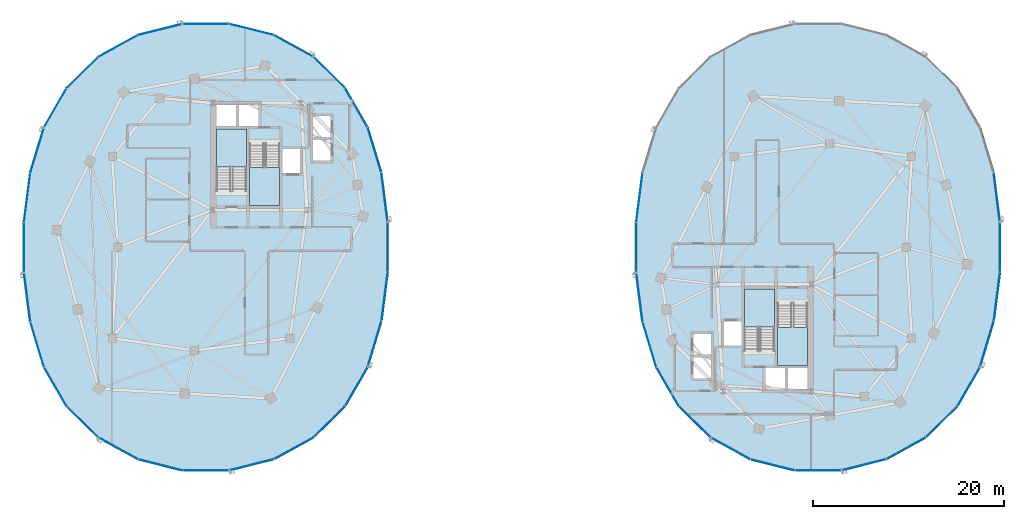
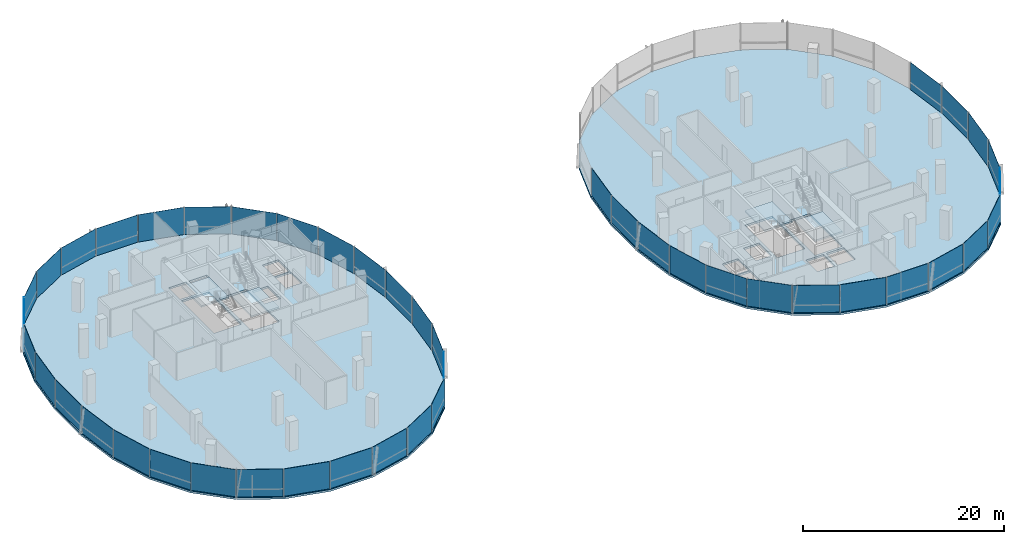
# One storey, part 10 of 21: 45 plates, 6 slabs, 12 elements without a shape of their own.
"""IFC4 building model written with IfcOpenShell, lengths in metres."""

from ifc_helpers import new_model, si_unit, direction, frame, origin, origin_2d, place, context, subcontext, project, spatial, polyline, rectangle, outline, extrude, material, layer, layer_set, type_object, element, aggregate, save


model = new_model("IFC4")

# Units and contexts
model_context = context("Model", 3, precision=1e-05, world=origin(), true_north=direction((0.0, 1.0)))
body_context = subcontext(model_context, "Body", "Model", "MODEL_VIEW")
ifc_project = project(units=[si_unit("LENGTHUNIT", "METRE"), si_unit("AREAUNIT", "SQUARE_METRE"), si_unit("VOLUMEUNIT", "CUBIC_METRE"), si_unit("PLANEANGLEUNIT", "RADIAN"), si_unit("MASSUNIT", "GRAM", prefix="KILO"), si_unit("THERMODYNAMICTEMPERATUREUNIT", "KELVIN"), si_unit("POWERUNIT", "WATT")], contexts=[model_context])

# Site, building, storey
site_placement = place(None, origin())
site = spatial("IfcSite", under=ifc_project, at=site_placement, CompositionType="ELEMENT")
building_placement = place(site_placement, origin())
building = spatial("IfcBuilding", under=site, at=building_placement, Name="Cundina Bronze Exchange", CompositionType="ELEMENT")
storey_placement = place(building_placement, frame((0.0, 0.0, 180.0)))
storey = spatial("IfcBuildingStorey", under=building, at=storey_placement, Name="L47", CompositionType="ELEMENT", Elevation=180.0)

# Curtain wall, plates
ifc_material_1 = material(Name="Anodised Bronze Aluminium 6063-T6", Category="aluminium")
curtain_wall_type = type_object("IfcCurtainWallType", Name="CWS-WST-PIN", PredefinedType="NOTDEFINED", material=ifc_material_1)
curtain_wall_1_placement = place(storey_placement, origin())
curtain_wall_1 = element("IfcCurtainWall", 1, at=curtain_wall_1_placement, inside=storey, type_object=curtain_wall_type, Name="L47 CW-04 Curtain Wall Run CWR-L47-W1", PredefinedType="NOTDEFINED")
ifc_material_2 = material(Name="Heat-Strengthened Solar-Control Bronze Safety Glass 28mm", Category="glass")
ifc_layer_1 = layer(ifc_material_2, 0.028076171875, Name="Heat-Strengthened Solar-Control Bronze Safety Glass 28mm", Category="glass")
ifc_layer_set_1 = layer_set([ifc_layer_1], Name="Heat-Strengthened Solar-Control Bronze Safety Glass 28mm")
plate_type_1 = type_object("IfcPlateType", Name="PLT-GLZ-VIS28", PredefinedType="CURTAIN_PANEL", material=ifc_layer_set_1)
plate_1_placement = place(storey_placement, frame((-13.320556640625, 5.2041015625, 0.02001953125), z_axis=(0.0, 0.0, 1.0), x_axis=(-0.126475984253, 0.9919696696, 0.0)))
plate_1 = element("IfcPlate", 2, at=plate_1_placement, type_object=plate_type_1, Name="CW-04 Glazed Panel 1", PredefinedType="CURTAIN_PANEL", context=body_context, shape_type="SweptSolid", body=[
    extrude(rectangle(XDim=5.104736328125, YDim=0.028076171875, at=origin_2d()), origin(), (0.0, 0.0, 1.0), 3.320068359375),
])
plate_2_placement = place(storey_placement, frame((-14.36669921875, 10.14208984375, 0.02001953125), z_axis=(0.0, 0.0, 1.0), x_axis=(-0.290050843957, 0.957011237092, 0.0)))
plate_2 = element("IfcPlate", 3, at=plate_2_placement, type_object=plate_type_1, Name="CW-04 Glazed Panel 2", PredefinedType="CURTAIN_PANEL", context=body_context, shape_type="SweptSolid", body=[
    extrude(rectangle(XDim=4.885009765625, YDim=0.028076171875, at=origin_2d()), origin(), (0.0, 0.0, 1.0), 3.320068359375),
])
plate_3_placement = place(storey_placement, frame((-19.105224609375, 18.253662109375, 0.02001953125), z_axis=(0.0, 0.0, 1.0), x_axis=(-0.711989280367, 0.702190333629, 0.0)))
plate_3 = element("IfcPlate", 4, at=plate_3_placement, type_object=plate_type_1, Name="CW-04 Glazed Panel 4", PredefinedType="CURTAIN_PANEL", context=body_context, shape_type="SweptSolid", body=[
    extrude(rectangle(XDim=4.6025390625, YDim=0.028076171875, at=origin_2d()), origin(), (0.0, 0.0, 1.0), 3.320068359375),
])
plate_4_placement = place(storey_placement, frame((-22.83154296875, 21.02880859375, 0.02001953125), z_axis=(0.0, 0.0, 1.0), x_axis=(-0.875869093438, 0.482548786301, 0.0)))
plate_4 = element("IfcPlate", 5, at=plate_4_placement, type_object=plate_type_1, Name="CW-04 Glazed Panel 5", PredefinedType="CURTAIN_PANEL", context=body_context, shape_type="SweptSolid", body=[
    extrude(rectangle(XDim=4.661865234375, YDim=0.028076171875, at=origin_2d()), origin(), (0.0, 0.0, 1.0), 3.320068359375),
])
plate_5_placement = place(storey_placement, frame((-27.23486328125, 22.75244140625, 0.02001953125), z_axis=(0.0, 0.0, 1.0), x_axis=(-0.970092713791, 0.242734683656, 0.0)))
plate_5 = element("IfcPlate", 6, at=plate_5_placement, type_object=plate_type_1, Name="CW-04 Glazed Panel 6", PredefinedType="CURTAIN_PANEL", context=body_context, shape_type="SweptSolid", body=[
    extrude(rectangle(XDim=4.7548828125, YDim=0.028076171875, at=origin_2d()), origin(), (0.0, 0.0, 1.0), 3.320068359375),
])
plate_6_placement = place(storey_placement, frame((-32.0, 23.3369140625, 0.02001953125), z_axis=(0.0, 0.0, 1.0), x_axis=(-1.0, 0.0, 0.0)))
plate_6 = element("IfcPlate", 7, at=plate_6_placement, type_object=plate_type_1, Name="CW-04 Glazed Panel 7", PredefinedType="CURTAIN_PANEL", context=body_context, shape_type="SweptSolid", body=[
    extrude(rectangle(XDim=4.7958984375, YDim=0.028076171875, at=origin_2d()), origin(), (0.0, 0.0, 1.0), 3.320068359375),
])

curtain_wall_2_placement = place(storey_placement, origin())
curtain_wall_2 = element("IfcCurtainWall", 8, at=curtain_wall_2_placement, inside=storey, type_object=curtain_wall_type, Name="L47 CW-04 Curtain Wall Run CWR-L47-W2", PredefinedType="NOTDEFINED")
plate_7_placement = place(storey_placement, frame((-36.76513671875, 22.75244140625, 0.02001953125), z_axis=(0.0, 0.0, 1.0), x_axis=(-0.970092713791, -0.242734683656, 0.0)))
plate_7 = element("IfcPlate", 9, at=plate_7_placement, type_object=plate_type_1, Name="CW-04 Glazed Panel 1", PredefinedType="CURTAIN_PANEL", context=body_context, shape_type="SweptSolid", body=[
    extrude(rectangle(XDim=4.7548828125, YDim=0.028076171875, at=origin_2d()), origin(), (0.0, 0.0, 1.0), 3.320068359375),
])
plate_8_placement = place(storey_placement, frame((-44.894775390625, 18.253662109375, 0.02001953125), z_axis=(0.0, 0.0, 1.0), x_axis=(-0.711989280367, -0.702190333629, 0.0)))
plate_8 = element("IfcPlate", 10, at=plate_8_placement, type_object=plate_type_1, Name="CW-04 Glazed Panel 3", PredefinedType="CURTAIN_PANEL", context=body_context, shape_type="SweptSolid", body=[
    extrude(rectangle(XDim=4.6025390625, YDim=0.028076171875, at=origin_2d()), origin(), (0.0, 0.0, 1.0), 3.320068359375),
])
plate_9_placement = place(storey_placement, frame((-47.734375, 14.564697265625, 0.02001953125), z_axis=(0.0, 0.0, 1.0), x_axis=(-0.498487739754, -0.866896748936, 0.0)))
plate_9 = element("IfcPlate", 11, at=plate_9_placement, type_object=plate_type_1, Name="CW-04 Glazed Panel 4", PredefinedType="CURTAIN_PANEL", context=body_context, shape_type="SweptSolid", body=[
    extrude(rectangle(XDim=4.676513671875, YDim=0.028076171875, at=origin_2d()), origin(), (0.0, 0.0, 1.0), 3.320068359375),
])
plate_10_placement = place(storey_placement, frame((-49.63330078125, 10.14208984375, 0.02001953125), z_axis=(0.0, 0.0, 1.0), x_axis=(-0.290050843957, -0.957011237092, 0.0)))
plate_10 = element("IfcPlate", 12, at=plate_10_placement, type_object=plate_type_1, Name="CW-04 Glazed Panel 5", PredefinedType="CURTAIN_PANEL", context=body_context, shape_type="SweptSolid", body=[
    extrude(rectangle(XDim=4.885009765625, YDim=0.028076171875, at=origin_2d()), origin(), (0.0, 0.0, 1.0), 3.320068359375),
])
plate_11_placement = place(storey_placement, frame((-50.679443359375, 5.2041015625, 0.02001953125), z_axis=(0.0, 0.0, 1.0), x_axis=(-0.126475984253, -0.9919696696, 0.0)))
plate_11 = element("IfcPlate", 13, at=plate_11_placement, type_object=plate_type_1, Name="CW-04 Glazed Panel 6", PredefinedType="CURTAIN_PANEL", context=body_context, shape_type="SweptSolid", body=[
    extrude(rectangle(XDim=5.104736328125, YDim=0.028076171875, at=origin_2d()), origin(), (0.0, 0.0, 1.0), 3.320068359375),
])

curtain_wall_3_placement = place(storey_placement, origin())
curtain_wall_3 = element("IfcCurtainWall", 14, at=curtain_wall_3_placement, inside=storey, type_object=curtain_wall_type, Name="L47 CW-04 Curtain Wall Run CWR-L47-W3", PredefinedType="NOTDEFINED")
plate_12_placement = place(storey_placement, frame((-49.63330078125, -10.14208984375, 0.02001953125), z_axis=(0.0, 0.0, 1.0), x_axis=(0.290050843957, -0.957011237092, 0.0)))
plate_12 = element("IfcPlate", 15, at=plate_12_placement, type_object=plate_type_1, Name="CW-04 Glazed Panel 2", PredefinedType="CURTAIN_PANEL", context=body_context, shape_type="SweptSolid", body=[
    extrude(rectangle(XDim=4.885009765625, YDim=0.028076171875, at=origin_2d()), origin(), (0.0, 0.0, 1.0), 3.320068359375),
])
plate_13_placement = place(storey_placement, frame((-47.734375, -14.564697265625, 0.02001953125), z_axis=(0.0, 0.0, 1.0), x_axis=(0.498487739754, -0.866896748936, 0.0)))
plate_13 = element("IfcPlate", 16, at=plate_13_placement, type_object=plate_type_1, Name="CW-04 Glazed Panel 3", PredefinedType="CURTAIN_PANEL", context=body_context, shape_type="SweptSolid", body=[
    extrude(rectangle(XDim=4.676513671875, YDim=0.028076171875, at=origin_2d()), origin(), (0.0, 0.0, 1.0), 3.320068359375),
])
plate_14_placement = place(storey_placement, frame((-44.894775390625, -18.253662109375, 0.02001953125), z_axis=(0.0, 0.0, 1.0), x_axis=(0.711989280367, -0.702190333629, 0.0)))
plate_14 = element("IfcPlate", 17, at=plate_14_placement, type_object=plate_type_1, Name="CW-04 Glazed Panel 4", PredefinedType="CURTAIN_PANEL", context=body_context, shape_type="SweptSolid", body=[
    extrude(rectangle(XDim=4.6025390625, YDim=0.028076171875, at=origin_2d()), origin(), (0.0, 0.0, 1.0), 3.320068359375),
])
plate_15_placement = place(storey_placement, frame((-41.16845703125, -21.02880859375, 0.02001953125), z_axis=(0.0, 0.0, 1.0), x_axis=(0.875869093438, -0.482548786301, 0.0)))
plate_15 = element("IfcPlate", 18, at=plate_15_placement, type_object=plate_type_1, Name="CW-04 Glazed Panel 5", PredefinedType="CURTAIN_PANEL", context=body_context, shape_type="SweptSolid", body=[
    extrude(rectangle(XDim=4.661865234375, YDim=0.028076171875, at=origin_2d()), origin(), (0.0, 0.0, 1.0), 3.320068359375),
])
plate_16_placement = place(storey_placement, frame((-32.0, -23.3369140625, 0.02001953125), z_axis=(0.0, 0.0, 1.0), x_axis=(1.0, 0.0, 0.0)))
plate_16 = element("IfcPlate", 19, at=plate_16_placement, type_object=plate_type_1, Name="CW-04 Glazed Panel 7", PredefinedType="CURTAIN_PANEL", context=body_context, shape_type="SweptSolid", body=[
    extrude(rectangle(XDim=4.7958984375, YDim=0.028076171875, at=origin_2d()), origin(), (0.0, 0.0, 1.0), 3.320068359375),
])

curtain_wall_4_placement = place(storey_placement, origin())
curtain_wall_4 = element("IfcCurtainWall", 20, at=curtain_wall_4_placement, inside=storey, type_object=curtain_wall_type, Name="L47 CW-04 Curtain Wall Run CWR-L47-W4", PredefinedType="NOTDEFINED")
plate_17_placement = place(storey_placement, frame((-27.23486328125, -22.75244140625, 0.02001953125), z_axis=(0.0, 0.0, 1.0), x_axis=(0.970092713791, 0.242734683656, 0.0)))
plate_17 = element("IfcPlate", 21, at=plate_17_placement, type_object=plate_type_1, Name="CW-04 Glazed Panel 1", PredefinedType="CURTAIN_PANEL", context=body_context, shape_type="SweptSolid", body=[
    extrude(rectangle(XDim=4.7548828125, YDim=0.028076171875, at=origin_2d()), origin(), (0.0, 0.0, 1.0), 3.320068359375),
])
plate_18_placement = place(storey_placement, frame((-22.83154296875, -21.02880859375, 0.02001953125), z_axis=(0.0, 0.0, 1.0), x_axis=(0.875869093438, 0.482548786301, 0.0)))
plate_18 = element("IfcPlate", 22, at=plate_18_placement, type_object=plate_type_1, Name="CW-04 Glazed Panel 2", PredefinedType="CURTAIN_PANEL", context=body_context, shape_type="SweptSolid", body=[
    extrude(rectangle(XDim=4.661865234375, YDim=0.028076171875, at=origin_2d()), origin(), (0.0, 0.0, 1.0), 3.320068359375),
])
plate_19_placement = place(storey_placement, frame((-19.105224609375, -18.253662109375, 0.02001953125), z_axis=(0.0, 0.0, 1.0), x_axis=(0.711989280367, 0.702190333629, 0.0)))
plate_19 = element("IfcPlate", 23, at=plate_19_placement, type_object=plate_type_1, Name="CW-04 Glazed Panel 3", PredefinedType="CURTAIN_PANEL", context=body_context, shape_type="SweptSolid", body=[
    extrude(rectangle(XDim=4.6025390625, YDim=0.028076171875, at=origin_2d()), origin(), (0.0, 0.0, 1.0), 3.320068359375),
])
plate_20_placement = place(storey_placement, frame((-16.265625, -14.564697265625, 0.02001953125), z_axis=(0.0, 0.0, 1.0), x_axis=(0.498487739754, 0.866896748936, 0.0)))
plate_20 = element("IfcPlate", 24, at=plate_20_placement, type_object=plate_type_1, Name="CW-04 Glazed Panel 4", PredefinedType="CURTAIN_PANEL", context=body_context, shape_type="SweptSolid", body=[
    extrude(rectangle(XDim=4.676513671875, YDim=0.028076171875, at=origin_2d()), origin(), (0.0, 0.0, 1.0), 3.320068359375),
])
plate_21_placement = place(storey_placement, frame((-13.320556640625, -5.2041015625, 0.02001953125), z_axis=(0.0, 0.0, 1.0), x_axis=(0.126475984253, 0.9919696696, 0.0)))
plate_21 = element("IfcPlate", 25, at=plate_21_placement, type_object=plate_type_1, Name="CW-04 Glazed Panel 6", PredefinedType="CURTAIN_PANEL", context=body_context, shape_type="SweptSolid", body=[
    extrude(rectangle(XDim=5.104736328125, YDim=0.028076171875, at=origin_2d()), origin(), (0.0, 0.0, 1.0), 3.320068359375),
])
plate_22_placement = place(storey_placement, frame((-12.992919921875, 0.0, 0.02001953125), z_axis=(0.0, 0.0, 1.0), x_axis=(0.0, 1.0, 0.0)))
plate_22 = element("IfcPlate", 26, at=plate_22_placement, type_object=plate_type_1, Name="CW-04 Glazed Panel 7", PredefinedType="CURTAIN_PANEL", context=body_context, shape_type="SweptSolid", body=[
    extrude(rectangle(XDim=5.194091796875, YDim=0.028076171875, at=origin_2d()), origin(), (0.0, 0.0, 1.0), 3.320068359375),
])

# Curtain wall, plate
curtain_wall_5_placement = place(storey_placement, origin())
curtain_wall_5 = element("IfcCurtainWall", 27, at=curtain_wall_5_placement, inside=storey, type_object=curtain_wall_type, Name="L47 CW-04 Curtain Wall Run CWR-L47-E1", PredefinedType="NOTDEFINED")
plate_23_placement = place(storey_placement, frame((50.679443359375, 5.2041015625, 0.02001953125), z_axis=(0.0, 0.0, 1.0), x_axis=(-0.126475984253, 0.9919696696, 0.0)))
plate_23 = element("IfcPlate", 28, at=plate_23_placement, type_object=plate_type_1, Name="CW-04 Glazed Panel 1", PredefinedType="CURTAIN_PANEL", context=body_context, shape_type="SweptSolid", body=[
    extrude(rectangle(XDim=5.104736328125, YDim=0.028076171875, at=origin_2d()), origin(), (0.0, 0.0, 1.0), 3.320068359375),
])
aggregate(curtain_wall_5, [plate_23])

curtain_wall_6_placement = place(storey_placement, origin())
curtain_wall_6 = element("IfcCurtainWall", 29, at=curtain_wall_6_placement, inside=storey, type_object=curtain_wall_type, Name="L47 CW-04 Curtain Wall Run CWR-L47-E2", PredefinedType="NOTDEFINED")
plate_24_placement = place(storey_placement, frame((13.320556640625, 5.2041015625, 0.02001953125), z_axis=(0.0, 0.0, 1.0), x_axis=(-0.126475984253, -0.9919696696, 0.0)))
plate_24 = element("IfcPlate", 30, at=plate_24_placement, type_object=plate_type_1, Name="CW-04 Glazed Panel 6", PredefinedType="CURTAIN_PANEL", context=body_context, shape_type="SweptSolid", body=[
    extrude(rectangle(XDim=5.104736328125, YDim=0.028076171875, at=origin_2d()), origin(), (0.0, 0.0, 1.0), 3.320068359375),
])

# Curtain wall, plates
curtain_wall_7_placement = place(storey_placement, origin())
curtain_wall_7 = element("IfcCurtainWall", 31, at=curtain_wall_7_placement, inside=storey, type_object=curtain_wall_type, Name="L47 CW-04 Curtain Wall Run CWR-L47-E3", PredefinedType="NOTDEFINED")
plate_25_placement = place(storey_placement, frame((14.36669921875, -10.14208984375, 0.02001953125), z_axis=(0.0, 0.0, 1.0), x_axis=(0.290050843957, -0.957011237092, 0.0)))
plate_25 = element("IfcPlate", 32, at=plate_25_placement, type_object=plate_type_1, Name="CW-04 Glazed Panel 2", PredefinedType="CURTAIN_PANEL", context=body_context, shape_type="SweptSolid", body=[
    extrude(rectangle(XDim=4.885009765625, YDim=0.028076171875, at=origin_2d()), origin(), (0.0, 0.0, 1.0), 3.320068359375),
])
plate_26_placement = place(storey_placement, frame((16.265625, -14.564697265625, 0.02001953125), z_axis=(0.0, 0.0, 1.0), x_axis=(0.498487739754, -0.866896748936, 0.0)))
plate_26 = element("IfcPlate", 33, at=plate_26_placement, type_object=plate_type_1, Name="CW-04 Glazed Panel 3", PredefinedType="CURTAIN_PANEL", context=body_context, shape_type="SweptSolid", body=[
    extrude(rectangle(XDim=4.676513671875, YDim=0.028076171875, at=origin_2d()), origin(), (0.0, 0.0, 1.0), 3.320068359375),
])
plate_27_placement = place(storey_placement, frame((19.105224609375, -18.253662109375, 0.02001953125), z_axis=(0.0, 0.0, 1.0), x_axis=(0.711989280367, -0.702190333629, 0.0)))
plate_27 = element("IfcPlate", 34, at=plate_27_placement, type_object=plate_type_1, Name="CW-04 Glazed Panel 4", PredefinedType="CURTAIN_PANEL", context=body_context, shape_type="SweptSolid", body=[
    extrude(rectangle(XDim=4.6025390625, YDim=0.028076171875, at=origin_2d()), origin(), (0.0, 0.0, 1.0), 3.320068359375),
])
plate_28_placement = place(storey_placement, frame((22.83154296875, -21.02880859375, 0.02001953125), z_axis=(0.0, 0.0, 1.0), x_axis=(0.875869093438, -0.482548786301, 0.0)))
plate_28 = element("IfcPlate", 35, at=plate_28_placement, type_object=plate_type_1, Name="CW-04 Glazed Panel 5", PredefinedType="CURTAIN_PANEL", context=body_context, shape_type="SweptSolid", body=[
    extrude(rectangle(XDim=4.661865234375, YDim=0.028076171875, at=origin_2d()), origin(), (0.0, 0.0, 1.0), 3.320068359375),
])
plate_29_placement = place(storey_placement, frame((32.0, -23.3369140625, 0.02001953125), z_axis=(0.0, 0.0, 1.0), x_axis=(1.0, 0.0, 0.0)))
plate_29 = element("IfcPlate", 36, at=plate_29_placement, type_object=plate_type_1, Name="CW-04 Glazed Panel 7", PredefinedType="CURTAIN_PANEL", context=body_context, shape_type="SweptSolid", body=[
    extrude(rectangle(XDim=4.7958984375, YDim=0.028076171875, at=origin_2d()), origin(), (0.0, 0.0, 1.0), 3.320068359375),
])

curtain_wall_8_placement = place(storey_placement, origin())
curtain_wall_8 = element("IfcCurtainWall", 37, at=curtain_wall_8_placement, inside=storey, type_object=curtain_wall_type, Name="L47 CW-04 Curtain Wall Run CWR-L47-E4", PredefinedType="NOTDEFINED")
plate_30_placement = place(storey_placement, frame((36.76513671875, -22.75244140625, 0.02001953125), z_axis=(0.0, 0.0, 1.0), x_axis=(0.970092713791, 0.242734683656, 0.0)))
plate_30 = element("IfcPlate", 38, at=plate_30_placement, type_object=plate_type_1, Name="CW-04 Glazed Panel 1", PredefinedType="CURTAIN_PANEL", context=body_context, shape_type="SweptSolid", body=[
    extrude(rectangle(XDim=4.7548828125, YDim=0.028076171875, at=origin_2d()), origin(), (0.0, 0.0, 1.0), 3.320068359375),
])
plate_31_placement = place(storey_placement, frame((41.16845703125, -21.02880859375, 0.02001953125), z_axis=(0.0, 0.0, 1.0), x_axis=(0.875869093438, 0.482548786301, 0.0)))
plate_31 = element("IfcPlate", 39, at=plate_31_placement, type_object=plate_type_1, Name="CW-04 Glazed Panel 2", PredefinedType="CURTAIN_PANEL", context=body_context, shape_type="SweptSolid", body=[
    extrude(rectangle(XDim=4.661865234375, YDim=0.028076171875, at=origin_2d()), origin(), (0.0, 0.0, 1.0), 3.320068359375),
])
plate_32_placement = place(storey_placement, frame((44.894775390625, -18.253662109375, 0.02001953125), z_axis=(0.0, 0.0, 1.0), x_axis=(0.711989280367, 0.702190333629, 0.0)))
plate_32 = element("IfcPlate", 40, at=plate_32_placement, type_object=plate_type_1, Name="CW-04 Glazed Panel 3", PredefinedType="CURTAIN_PANEL", context=body_context, shape_type="SweptSolid", body=[
    extrude(rectangle(XDim=4.6025390625, YDim=0.028076171875, at=origin_2d()), origin(), (0.0, 0.0, 1.0), 3.320068359375),
])
plate_33_placement = place(storey_placement, frame((47.734375, -14.564697265625, 0.02001953125), z_axis=(0.0, 0.0, 1.0), x_axis=(0.498487739754, 0.866896748936, 0.0)))
plate_33 = element("IfcPlate", 41, at=plate_33_placement, type_object=plate_type_1, Name="CW-04 Glazed Panel 4", PredefinedType="CURTAIN_PANEL", context=body_context, shape_type="SweptSolid", body=[
    extrude(rectangle(XDim=4.676513671875, YDim=0.028076171875, at=origin_2d()), origin(), (0.0, 0.0, 1.0), 3.320068359375),
])
plate_34_placement = place(storey_placement, frame((50.679443359375, -5.2041015625, 0.02001953125), z_axis=(0.0, 0.0, 1.0), x_axis=(0.126475984253, 0.9919696696, 0.0)))
plate_34 = element("IfcPlate", 42, at=plate_34_placement, type_object=plate_type_1, Name="CW-04 Glazed Panel 6", PredefinedType="CURTAIN_PANEL", context=body_context, shape_type="SweptSolid", body=[
    extrude(rectangle(XDim=5.104736328125, YDim=0.028076171875, at=origin_2d()), origin(), (0.0, 0.0, 1.0), 3.320068359375),
])
plate_35_placement = place(storey_placement, frame((51.007080078125, 0.0, 0.02001953125), z_axis=(0.0, 0.0, 1.0), x_axis=(0.0, 1.0, 0.0)))
plate_35 = element("IfcPlate", 43, at=plate_35_placement, type_object=plate_type_1, Name="CW-04 Glazed Panel 7", PredefinedType="CURTAIN_PANEL", context=body_context, shape_type="SweptSolid", body=[
    extrude(rectangle(XDim=5.194091796875, YDim=0.028076171875, at=origin_2d()), origin(), (0.0, 0.0, 1.0), 3.320068359375),
])

# Plate
ifc_material_3 = material(Name="Dark Bronze Spandrel Glass Panel 32mm", Category="glass")
ifc_layer_2 = layer(ifc_material_3, 0.031982421875, Name="Dark Bronze Spandrel Glass Panel 32mm", Category="glass")
ifc_layer_set_2 = layer_set([ifc_layer_2], Name="Dark Bronze Spandrel Glass Panel 32mm")
plate_type_2 = type_object("IfcPlateType", Name="PLT-SPN-BRZ32", PredefinedType="CURTAIN_PANEL", material=ifc_layer_set_2)
plate_36_placement = place(storey_placement, frame((-16.265625, 14.564697265625, 0.02001953125), z_axis=(0.0, 0.0, 1.0), x_axis=(-0.498487739754, 0.866896748936, 0.0)))
plate_36 = element("IfcPlate", 44, at=plate_36_placement, type_object=plate_type_2, Name="CW-04 Glazed Panel 3", PredefinedType="CURTAIN_PANEL", context=body_context, shape_type="SweptSolid", body=[
    extrude(rectangle(XDim=4.676513671875, YDim=0.031982421875, at=origin_2d()), origin(), (0.0, 0.0, 1.0), 3.320068359375),
])

aggregate(curtain_wall_1, [plate_1, plate_2, plate_36, plate_3, plate_4, plate_5, plate_6])

plate_37_placement = place(storey_placement, frame((-41.16845703125, 21.02880859375, 0.02001953125), z_axis=(0.0, 0.0, 1.0), x_axis=(-0.875869093438, -0.482548786301, 0.0)))
plate_37 = element("IfcPlate", 45, at=plate_37_placement, type_object=plate_type_2, Name="CW-04 Glazed Panel 2", PredefinedType="CURTAIN_PANEL", context=body_context, shape_type="SweptSolid", body=[
    extrude(rectangle(XDim=4.661865234375, YDim=0.031982421875, at=origin_2d()), origin(), (0.0, 0.0, 1.0), 3.320068359375),
])

plate_38_placement = place(storey_placement, frame((-51.007080078125, 0.0, 0.02001953125), z_axis=(0.0, 0.0, 1.0), x_axis=(0.0, -1.0, 0.0)))
plate_38 = element("IfcPlate", 46, at=plate_38_placement, type_object=plate_type_2, Name="CW-04 Glazed Panel 7", PredefinedType="CURTAIN_PANEL", context=body_context, shape_type="SweptSolid", body=[
    extrude(rectangle(XDim=5.194091796875, YDim=0.031982421875, at=origin_2d()), origin(), (0.0, 0.0, 1.0), 3.320068359375),
])

aggregate(curtain_wall_2, [plate_7, plate_37, plate_8, plate_9, plate_10, plate_11, plate_38])

plate_39_placement = place(storey_placement, frame((-50.679443359375, -5.2041015625, 0.02001953125), z_axis=(0.0, 0.0, 1.0), x_axis=(0.126475984253, -0.9919696696, 0.0)))
plate_39 = element("IfcPlate", 47, at=plate_39_placement, type_object=plate_type_2, Name="CW-04 Glazed Panel 1", PredefinedType="CURTAIN_PANEL", context=body_context, shape_type="SweptSolid", body=[
    extrude(rectangle(XDim=5.104736328125, YDim=0.031982421875, at=origin_2d()), origin(), (0.0, 0.0, 1.0), 3.320068359375),
])

plate_40_placement = place(storey_placement, frame((-36.76513671875, -22.75244140625, 0.02001953125), z_axis=(0.0, 0.0, 1.0), x_axis=(0.970092713791, -0.242734683656, 0.0)))
plate_40 = element("IfcPlate", 48, at=plate_40_placement, type_object=plate_type_2, Name="CW-04 Glazed Panel 6", PredefinedType="CURTAIN_PANEL", context=body_context, shape_type="SweptSolid", body=[
    extrude(rectangle(XDim=4.7548828125, YDim=0.031982421875, at=origin_2d()), origin(), (0.0, 0.0, 1.0), 3.320068359375),
])

aggregate(curtain_wall_3, [plate_39, plate_12, plate_13, plate_14, plate_15, plate_40, plate_16])

plate_41_placement = place(storey_placement, frame((-14.36669921875, -10.14208984375, 0.02001953125), z_axis=(0.0, 0.0, 1.0), x_axis=(0.290050843957, 0.957011237092, 0.0)))
plate_41 = element("IfcPlate", 49, at=plate_41_placement, type_object=plate_type_2, Name="CW-04 Glazed Panel 5", PredefinedType="CURTAIN_PANEL", context=body_context, shape_type="SweptSolid", body=[
    extrude(rectangle(XDim=4.885009765625, YDim=0.031982421875, at=origin_2d()), origin(), (0.0, 0.0, 1.0), 3.320068359375),
])

aggregate(curtain_wall_4, [plate_17, plate_18, plate_19, plate_20, plate_41, plate_21, plate_22])

plate_42_placement = place(storey_placement, frame((12.992919921875, 0.0, 0.02001953125), z_axis=(0.0, 0.0, 1.0), x_axis=(0.0, -1.0, 0.0)))
plate_42 = element("IfcPlate", 50, at=plate_42_placement, type_object=plate_type_2, Name="CW-04 Glazed Panel 7", PredefinedType="CURTAIN_PANEL", context=body_context, shape_type="SweptSolid", body=[
    extrude(rectangle(XDim=5.194091796875, YDim=0.031982421875, at=origin_2d()), origin(), (0.0, 0.0, 1.0), 3.320068359375),
])

aggregate(curtain_wall_6, [plate_24, plate_42])

plate_43_placement = place(storey_placement, frame((13.320556640625, -5.2041015625, 0.02001953125), z_axis=(0.0, 0.0, 1.0), x_axis=(0.126475984253, -0.9919696696, 0.0)))
plate_43 = element("IfcPlate", 51, at=plate_43_placement, type_object=plate_type_2, Name="CW-04 Glazed Panel 1", PredefinedType="CURTAIN_PANEL", context=body_context, shape_type="SweptSolid", body=[
    extrude(rectangle(XDim=5.104736328125, YDim=0.031982421875, at=origin_2d()), origin(), (0.0, 0.0, 1.0), 3.320068359375),
])

plate_44_placement = place(storey_placement, frame((27.23486328125, -22.75244140625, 0.02001953125), z_axis=(0.0, 0.0, 1.0), x_axis=(0.970092713791, -0.242734683656, 0.0)))
plate_44 = element("IfcPlate", 52, at=plate_44_placement, type_object=plate_type_2, Name="CW-04 Glazed Panel 6", PredefinedType="CURTAIN_PANEL", context=body_context, shape_type="SweptSolid", body=[
    extrude(rectangle(XDim=4.7548828125, YDim=0.031982421875, at=origin_2d()), origin(), (0.0, 0.0, 1.0), 3.320068359375),
])

aggregate(curtain_wall_7, [plate_43, plate_25, plate_26, plate_27, plate_28, plate_44, plate_29])

plate_45_placement = place(storey_placement, frame((49.63330078125, -10.14208984375, 0.02001953125), z_axis=(0.0, 0.0, 1.0), x_axis=(0.290050843957, 0.957011237092, 0.0)))
plate_45 = element("IfcPlate", 53, at=plate_45_placement, type_object=plate_type_2, Name="CW-04 Glazed Panel 5", PredefinedType="CURTAIN_PANEL", context=body_context, shape_type="SweptSolid", body=[
    extrude(rectangle(XDim=4.885009765625, YDim=0.031982421875, at=origin_2d()), origin(), (0.0, 0.0, 1.0), 3.320068359375),
])

aggregate(curtain_wall_8, [plate_30, plate_31, plate_32, plate_33, plate_45, plate_34, plate_35])

# Stair, slab
ifc_material_4 = material(Name="Concrete C40/50", Category="concrete")
stair_type = type_object("IfcStairType", Name="STR-OFF-360", PredefinedType="HALF_TURN_STAIR", material=ifc_material_4)
stair_1_placement = place(storey_placement, origin())
stair_1 = element("IfcStair", 54, at=stair_1_placement, inside=storey, type_object=stair_type, Name="L47 Smokeproof Exit Stair W1", PredefinedType="HALF_TURN_STAIR")
ifc_layer_3 = layer(ifc_material_4, 0.199951171875, Name="Concrete C40/50", Category="concrete")
ifc_layer_set_3 = layer_set([ifc_layer_3], Name="Concrete C40/50")
slab_type_1 = type_object("IfcSlabType", Name="SLB-LND-200", PredefinedType="LANDING", material=ifc_layer_set_3)
slab_1_placement = place(storey_placement, frame((0.0, 0.0, 1.60009765625)))
slab_1 = element("IfcSlab", 55, at=slab_1_placement, type_object=slab_type_1, Name="ST-W1 landing 1", PredefinedType="LANDING", context=body_context, shape_type="SweptSolid", body=[
    extrude(outline(polyline([(-27.739990234375, 8.3701171875), (-27.739990234375, 12.35009765625), (-30.89990234375, 12.35009765625), (-30.89990234375, 8.3701171875), (-27.739990234375, 8.3701171875)])), origin(), (0.0, 0.0, 1.0), 0.199951171875),
])
aggregate(stair_1, [slab_1])

stair_2_placement = place(storey_placement, origin())
stair_2 = element("IfcStair", 56, at=stair_2_placement, inside=storey, type_object=stair_type, Name="L47 Smokeproof Exit Stair W2", PredefinedType="HALF_TURN_STAIR")
slab_2_placement = place(storey_placement, frame((0.0, 0.0, 1.60009765625)))
slab_2 = element("IfcSlab", 57, at=slab_2_placement, type_object=slab_type_1, Name="ST-W2 landing 1", PredefinedType="LANDING", context=body_context, shape_type="SweptSolid", body=[
    extrude(outline(polyline([(-27.43994140625, 8.330078125), (-27.43994140625, 4.35009765625), (-24.280029296875, 4.35009765625), (-24.280029296875, 8.330078125), (-27.43994140625, 8.330078125)])), origin(), (0.0, 0.0, 1.0), 0.199951171875),
])
aggregate(stair_2, [slab_2])

stair_3_placement = place(storey_placement, origin())
stair_3 = element("IfcStair", 58, at=stair_3_placement, inside=storey, type_object=stair_type, Name="L47 Smokeproof Exit Stair E1", PredefinedType="HALF_TURN_STAIR")
slab_3_placement = place(storey_placement, frame((0.0, 0.0, 1.60009765625)))
slab_3 = element("IfcSlab", 59, at=slab_3_placement, type_object=slab_type_1, Name="ST-E1 landing 1", PredefinedType="LANDING", context=body_context, shape_type="SweptSolid", body=[
    extrude(outline(polyline([(27.739990234375, -8.3701171875), (27.739990234375, -12.35009765625), (30.89990234375, -12.35009765625), (30.89990234375, -8.3701171875), (27.739990234375, -8.3701171875)])), origin(), (0.0, 0.0, 1.0), 0.199951171875),
])
aggregate(stair_3, [slab_3])

stair_4_placement = place(storey_placement, origin())
stair_4 = element("IfcStair", 60, at=stair_4_placement, inside=storey, type_object=stair_type, Name="L47 Smokeproof Exit Stair E2", PredefinedType="HALF_TURN_STAIR")
slab_4_placement = place(storey_placement, frame((0.0, 0.0, 1.60009765625)))
slab_4 = element("IfcSlab", 61, at=slab_4_placement, type_object=slab_type_1, Name="ST-E2 landing 1", PredefinedType="LANDING", context=body_context, shape_type="SweptSolid", body=[
    extrude(outline(polyline([(27.43994140625, -8.330078125), (27.43994140625, -4.35009765625), (24.280029296875, -4.35009765625), (24.280029296875, -8.330078125), (27.43994140625, -8.330078125)])), origin(), (0.0, 0.0, 1.0), 0.199951171875),
])
aggregate(stair_4, [slab_4])

# Slabs
ifc_material_5 = material(Name="Concrete C50/60", Category="concrete")
ifc_layer_4 = layer(ifc_material_5, 0.239990234375, Name="Concrete C50/60", Category="concrete")
ifc_layer_set_4 = layer_set([ifc_layer_4], Name="Concrete C50/60")
slab_type_2 = type_object("IfcSlabType", Name="SLB-WST-240", PredefinedType="FLOOR", material=ifc_layer_set_4)
slab_5_placement = place(storey_placement, frame((0.0, 0.0, -0.239990234375)))
element("IfcSlab", 62, at=slab_5_placement, inside=storey, type_object=slab_type_2, Name="L47 Leg W Structural Floor Slab", PredefinedType="FLOOR", context=body_context, shape_type="SweptSolid", body=[
    extrude(outline(polyline([(-12.8779296875, 2.64208984375), (-13.534912109375, 7.794921875), (-14.97802734375, 12.555908203125), (-17.35400390625, 16.68798828125), (-20.695068359375, 19.98291015625), (-24.85693359375, 22.27587890625), (-29.556884765625, 23.451904296875), (-34.443115234375, 23.451904296875), (-39.14306640625, 22.27587890625), (-43.304931640625, 19.98291015625), (-46.64599609375, 16.68798828125), (-49.02197265625, 12.555908203125), (-50.465087890625, 7.794921875), (-51.1220703125, 2.64208984375), (-51.1220703125, -2.64208984375), (-50.465087890625, -7.794921875), (-49.02197265625, -12.555908203125), (-46.64599609375, -16.68798828125), (-43.304931640625, -19.98291015625), (-39.14306640625, -22.27587890625), (-34.443115234375, -23.451904296875), (-29.556884765625, -23.451904296875), (-24.85693359375, -22.27587890625), (-20.695068359375, -19.98291015625), (-17.35400390625, -16.68798828125), (-14.97802734375, -12.555908203125), (-13.534912109375, -7.794921875), (-12.8779296875, -2.64208984375), (-12.8779296875, 2.64208984375)]), holes=[polyline([(-27.739990234375, 5.85009765625), (-27.739990234375, 12.35009765625), (-30.89990234375, 12.35009765625), (-30.89990234375, 5.85009765625), (-27.739990234375, 5.85009765625)]), polyline([(-27.43994140625, 10.85009765625), (-27.43994140625, 4.35009765625), (-24.280029296875, 4.35009765625), (-24.280029296875, 10.85009765625), (-27.43994140625, 10.85009765625)]), polyline([(-23.97998046875, 10.25), (-22.179931640625, 10.25), (-22.179931640625, 7.75), (-23.97998046875, 7.75), (-23.97998046875, 10.25)]), polyline([(-30.89990234375, 14.949951171875), (-28.85009765625, 14.949951171875), (-28.85009765625, 12.64990234375), (-30.89990234375, 12.64990234375), (-30.89990234375, 14.949951171875)]), polyline([(-28.550048828125, 14.949951171875), (-26.5, 14.949951171875), (-26.5, 12.64990234375), (-28.550048828125, 12.64990234375), (-28.550048828125, 14.949951171875)]), polyline([(-20.800048828125, 13.699951171875), (-18.949951171875, 13.699951171875), (-18.949951171875, 11.449951171875), (-20.800048828125, 11.449951171875), (-20.800048828125, 13.699951171875)]), polyline([(-20.800048828125, 11.300048828125), (-18.949951171875, 11.300048828125), (-18.949951171875, 9.050048828125), (-20.800048828125, 9.050048828125), (-20.800048828125, 11.300048828125)])]), origin(), (0.0, 0.0, 1.0), 0.239990234375),
])
slab_6_placement = place(storey_placement, frame((0.0, 0.0, -0.239990234375)))
element("IfcSlab", 63, at=slab_6_placement, inside=storey, type_object=slab_type_2, Name="L47 Leg E Structural Floor Slab", PredefinedType="FLOOR", context=body_context, shape_type="SweptSolid", body=[
    extrude(outline(polyline([(51.1220703125, 2.64208984375), (50.465087890625, 7.794921875), (49.02197265625, 12.555908203125), (46.64599609375, 16.68798828125), (43.304931640625, 19.98291015625), (39.14306640625, 22.27587890625), (34.443115234375, 23.451904296875), (29.556884765625, 23.451904296875), (24.85693359375, 22.27587890625), (20.695068359375, 19.98291015625), (17.35400390625, 16.68798828125), (14.97802734375, 12.555908203125), (13.534912109375, 7.794921875), (12.8779296875, 2.64208984375), (12.8779296875, -2.64208984375), (13.534912109375, -7.794921875), (14.97802734375, -12.555908203125), (17.35400390625, -16.68798828125), (20.695068359375, -19.98291015625), (24.85693359375, -22.27587890625), (29.556884765625, -23.451904296875), (34.443115234375, -23.451904296875), (39.14306640625, -22.27587890625), (43.304931640625, -19.98291015625), (46.64599609375, -16.68798828125), (49.02197265625, -12.555908203125), (50.465087890625, -7.794921875), (51.1220703125, -2.64208984375), (51.1220703125, 2.64208984375)]), holes=[polyline([(27.739990234375, -5.85009765625), (27.739990234375, -12.35009765625), (30.89990234375, -12.35009765625), (30.89990234375, -5.85009765625), (27.739990234375, -5.85009765625)]), polyline([(27.43994140625, -10.85009765625), (27.43994140625, -4.35009765625), (24.280029296875, -4.35009765625), (24.280029296875, -10.85009765625), (27.43994140625, -10.85009765625)]), polyline([(22.179931640625, -7.75), (23.97998046875, -7.75), (23.97998046875, -10.25), (22.179931640625, -10.25), (22.179931640625, -7.75)]), polyline([(28.85009765625, -12.64990234375), (30.89990234375, -12.64990234375), (30.89990234375, -14.949951171875), (28.85009765625, -14.949951171875), (28.85009765625, -12.64990234375)]), polyline([(26.5, -12.64990234375), (28.550048828125, -12.64990234375), (28.550048828125, -14.949951171875), (26.5, -14.949951171875), (26.5, -12.64990234375)]), polyline([(18.949951171875, -11.449951171875), (20.800048828125, -11.449951171875), (20.800048828125, -13.699951171875), (18.949951171875, -13.699951171875), (18.949951171875, -11.449951171875)]), polyline([(18.949951171875, -9.050048828125), (20.800048828125, -9.050048828125), (20.800048828125, -11.300048828125), (18.949951171875, -11.300048828125), (18.949951171875, -9.050048828125)])]), origin(), (0.0, 0.0, 1.0), 0.239990234375),
])

save(model, "model.ifc")
